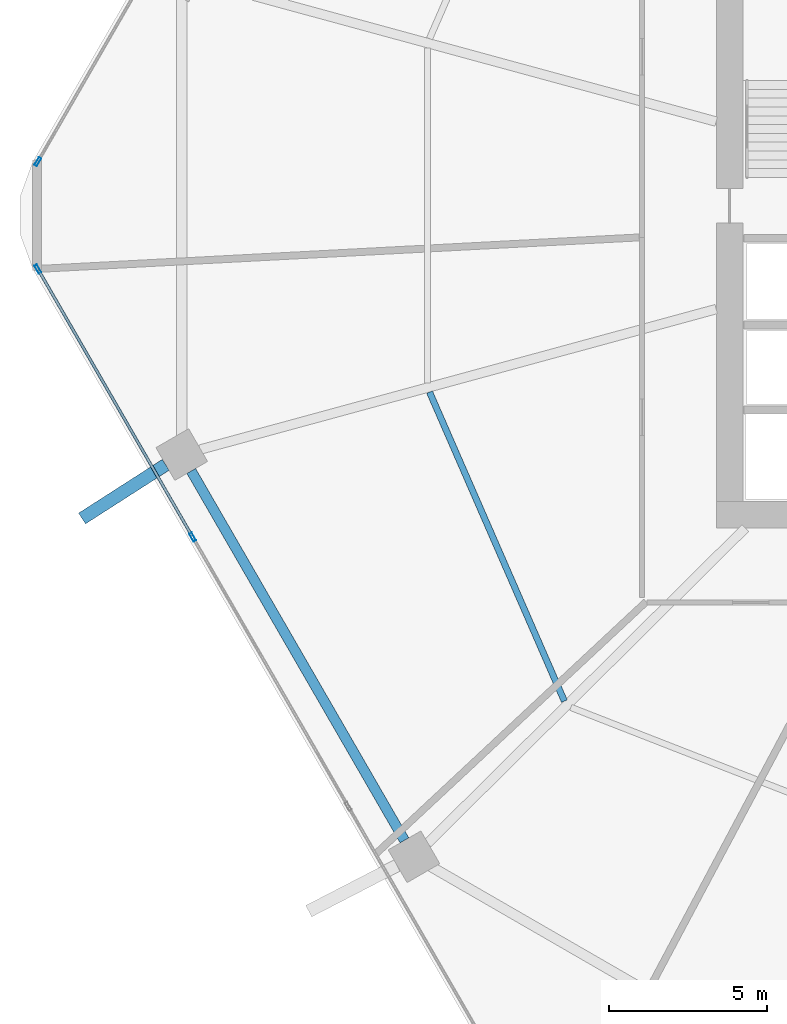
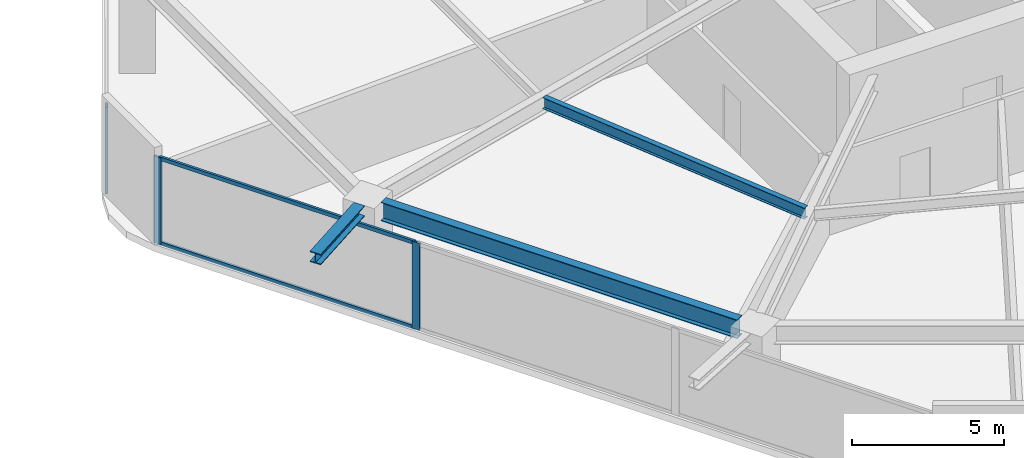
# One storey, part 5 of 26: 5 members, 3 beams, 2 elements without a shape of their own.
"""IFC4 building model written with IfcOpenShell, lengths in metres."""

from ifc_helpers import new_model, si_unit, direction, frame, origin, origin_2d, place, context, subcontext, project, spatial, hollow_rectangle, i_section, extrude, material, material_profile, profile_set, type_object, element, aggregate, save


model = new_model("IFC4")

# Units and contexts
model_context = context("Model", 3, precision=1e-05, world=origin(), true_north=direction((0.0, 1.0)))
body_context = subcontext(model_context, "Body", "Model", "MODEL_VIEW")
ifc_project = project(units=[si_unit("LENGTHUNIT", "METRE"), si_unit("AREAUNIT", "SQUARE_METRE"), si_unit("VOLUMEUNIT", "CUBIC_METRE"), si_unit("PLANEANGLEUNIT", "RADIAN"), si_unit("MASSUNIT", "GRAM", prefix="KILO")], contexts=[model_context])

# Site, building, storey
site_placement = place(None, origin())
site = spatial("IfcSite", under=ifc_project, at=site_placement, CompositionType="ELEMENT")
building_placement = place(site_placement, origin())
building = spatial("IfcBuilding", under=site, at=building_placement, Name="Zuhravey Tower", CompositionType="ELEMENT")
storey_placement = place(building_placement, frame((0.0, 0.0, 28.800048828125)))
storey = spatial("IfcBuildingStorey", under=building, at=storey_placement, Name="L07", CompositionType="ELEMENT", Elevation=28.800048828125)

# Curtain wall, members
ifc_material_1 = material(Name="Thermally broken anodised aluminium", Category="aluminium")
curtain_wall_type = type_object("IfcCurtainWallType", Name="School Low-E Unitised Curtain Wall CW1", PredefinedType="NOTDEFINED", material=ifc_material_1)
curtain_wall_1_placement = place(storey_placement, origin())
curtain_wall_1 = element("IfcCurtainWall", 1, at=curtain_wall_1_placement, inside=storey, type_object=curtain_wall_type, Name="L07 CW1 CW-L07-F4-1", PredefinedType="NOTDEFINED")
ifc_material_2 = material(Name="Anodised aluminium", Category="aluminium")
ifc_material_profile_1 = material_profile(ifc_material_2, hollow_rectangle(XDim=0.090087890625, YDim=0.284912109375, WallThickness=0.0048828125, at=origin_2d()), Name="ALU-RHS-90x285x5")
ifc_profile_set_1 = profile_set([ifc_material_profile_1], Name="Anodised aluminium")
member_type_1 = type_object("IfcMemberType", Name="Curtain-Wall Mullion 90x180", PredefinedType="MULLION", material=ifc_profile_set_1)
member_1_placement = place(storey_placement, frame((8.45458984375, 21.79296875, 0.0), z_axis=(0.0, 0.0, 1.0), x_axis=(-0.86602552265, -0.499999794119, 0.0)))
member_1 = element("IfcMember", 2, at=member_1_placement, type_object=member_type_1, Name="CW1 mullion 3", PredefinedType="MULLION", context=body_context, shape_type="SweptSolid", body=[
    extrude(hollow_rectangle(XDim=0.090087890625, YDim=0.284912109375, WallThickness=0.0048828125, at=origin_2d()), origin(), (0.0, 0.0, 1.0), 3.491943359375),
])
member_2_placement = place(storey_placement, frame((3.5439453125, 30.298583984375, 0.0), z_axis=(0.0, 0.0, 1.0), x_axis=(-0.86602552265, -0.499999794119, 0.0)))
member_2 = element("IfcMember", 3, at=member_2_placement, type_object=member_type_1, Name="CW1 mullion 4", PredefinedType="MULLION", context=body_context, shape_type="SweptSolid", body=[
    extrude(hollow_rectangle(XDim=0.090087890625, YDim=0.284912109375, WallThickness=0.0048828125, at=origin_2d()), origin(), (0.0, 0.0, 1.0), 3.491943359375),
])

# Curtain wall, member
curtain_wall_2_placement = place(storey_placement, origin())
curtain_wall_2 = element("IfcCurtainWall", 4, at=curtain_wall_2_placement, inside=storey, type_object=curtain_wall_type, Name="L07 CW1 CW-L07-F3-1", PredefinedType="NOTDEFINED")
member_3_placement = place(storey_placement, frame((3.5439453125, 33.701416015625, 0.0), z_axis=(0.0, 0.0, 1.0), x_axis=(-0.86602552265, 0.499999794119, 0.0)))
member_3 = element("IfcMember", 5, at=member_3_placement, type_object=member_type_1, Name="CW1 mullion 1", PredefinedType="MULLION", context=body_context, shape_type="SweptSolid", body=[
    extrude(hollow_rectangle(XDim=0.090087890625, YDim=0.284912109375, WallThickness=0.0048828125, at=origin_2d()), origin(), (0.0, 0.0, 1.0), 3.491943359375),
])
aggregate(curtain_wall_2, [member_3])

# Member
ifc_material_profile_2 = material_profile(ifc_material_2, hollow_rectangle(XDim=0.090087890625, YDim=0.14990234375, WallThickness=0.0048828125, at=origin_2d()), Name="ALU-RHS-90x150x5")
ifc_profile_set_2 = profile_set([ifc_material_profile_2], Name="Anodised aluminium")
member_type_2 = type_object("IfcMemberType", Name="Curtain-Wall Transom 90x150", PredefinedType="USERDEFINED", material=ifc_profile_set_2)
member_4_placement = place(storey_placement, frame((8.43212890625, 21.83203125, 0.044921875), z_axis=(-0.500008393077, 0.866020557985, 0.0), x_axis=(-0.866020557985, -0.500008393077, 0.0)))
member_4 = element("IfcMember", 6, at=member_4_placement, type_object=member_type_2, Name="CW1 transom 3.1", ObjectType="TRANSOM", PredefinedType="USERDEFINED", context=body_context, shape_type="SweptSolid", body=[
    extrude(hollow_rectangle(XDim=0.090087890625, YDim=0.14990234375, WallThickness=0.0048828125, at=origin_2d()), origin(), (0.0, 0.0, 1.0), 9.731201171875),
])

member_5_placement = place(storey_placement, frame((8.43212890625, 21.83203125, 3.447021484375), z_axis=(-0.500008393077, 0.866020557985, 0.0), x_axis=(-0.866020557985, -0.500008393077, 0.0)))
member_5 = element("IfcMember", 7, at=member_5_placement, type_object=member_type_2, Name="CW1 transom 3.2", ObjectType="TRANSOM", PredefinedType="USERDEFINED", context=body_context, shape_type="SweptSolid", body=[
    extrude(hollow_rectangle(XDim=0.090087890625, YDim=0.14990234375, WallThickness=0.0048828125, at=origin_2d()), origin(), (0.0, 0.0, 1.0), 9.731201171875),
])

aggregate(curtain_wall_1, [member_1, member_2, member_4, member_5])

# Beams
ifc_material_3 = material(Name="Steel SM460", Category="steel")
ifc_material_profile_3 = material_profile(ifc_material_3, i_section(OverallWidth=0.406982421875, OverallDepth=0.427978515625, WebThickness=0.02001953125, FlangeThickness=0.034912109375, at=origin_2d()), Name="H-428x407x20x35")
ifc_profile_set_3 = profile_set([ifc_material_profile_3], Name="Steel SM460")
beam_type_1 = type_object("IfcBeamType", Name="Exoskeleton Node Tie Beam H428x407", PredefinedType="BEAM", material=ifc_profile_set_3)
beam_1_placement = place(storey_placement, frame((7.60205078125, 24.08203125, 3.7060546875), z_axis=(-0.841731244747, -0.539896760147, 0.0), x_axis=(0.539896760147, -0.841731244747, 0.0)))
element("IfcBeam", 8, at=beam_1_placement, inside=storey, type_object=beam_type_1, Name="L07 Exoskeleton Node Tie NT1-07", PredefinedType="BEAM", context=body_context, shape_type="SweptSolid", body=[
    extrude(i_section(OverallWidth=0.406982421875, OverallDepth=0.427978515625, WebThickness=0.02001953125, FlangeThickness=0.034912109375, at=origin_2d()), origin(), (0.0, 0.0, 1.0), 3.154541015625),
])
ifc_material_4 = material(Name="Steel SM355", Category="steel")
ifc_material_profile_4 = material_profile(ifc_material_4, i_section(OverallWidth=0.320068359375, OverallDepth=0.75, WebThickness=0.013916015625, FlangeThickness=0.02490234375, at=origin_2d()), Name="H-750x320x14x25")
ifc_profile_set_4 = profile_set([ifc_material_profile_4], Name="Steel SM355")
beam_type_2 = type_object("IfcBeamType", Name="Perimeter Ring Beam H750x320", PredefinedType="BEAM", material=ifc_profile_set_4)
beam_2_placement = place(storey_placement, frame((8.412353515625, 23.88623046875, 3.544921875), z_axis=(0.499999877243, -0.866025474658, 0.0), x_axis=(0.866025474658, 0.499999877243, 0.0)))
element("IfcBeam", 9, at=beam_2_placement, inside=storey, type_object=beam_type_2, Name="L07 PB1 BM-L07-PB-07", PredefinedType="BEAM", context=body_context, shape_type="SweptSolid", body=[
    extrude(i_section(OverallWidth=0.320068359375, OverallDepth=0.75, WebThickness=0.013916015625, FlangeThickness=0.02490234375, at=origin_2d()), origin(), (0.0, 0.0, 1.0), 13.5341796875),
])
ifc_material_profile_5 = material_profile(ifc_material_4, i_section(OverallWidth=0.199951171875, OverallDepth=0.449951171875, WebThickness=0.009033203125, FlangeThickness=0.013916015625, at=origin_2d()), Name="H-450x200x9x14")
ifc_profile_set_5 = profile_set([ifc_material_profile_5], Name="Steel SM355")
beam_type_3 = type_object("IfcBeamType", Name="Secondary Floor Joist H450x200", PredefinedType="JOIST", material=ifc_profile_set_5)
beam_3_placement = place(storey_placement, frame((15.974609375, 26.39111328125, 3.695068359375), z_axis=(0.399923551578, -0.916548500022, 0.0), x_axis=(0.916548500022, 0.399923551578, 0.0)))
element("IfcBeam", 10, at=beam_3_placement, inside=storey, type_object=beam_type_3, Name="L07 SJ1 BM-L07-SJ-07-1", PredefinedType="JOIST", context=body_context, shape_type="SweptSolid", body=[
    extrude(i_section(OverallWidth=0.199951171875, OverallDepth=0.449951171875, WebThickness=0.009033203125, FlangeThickness=0.013916015625, at=origin_2d()), origin(), (0.0, 0.0, 1.0), 10.70263671875),
])

save(model, "model.ifc")
